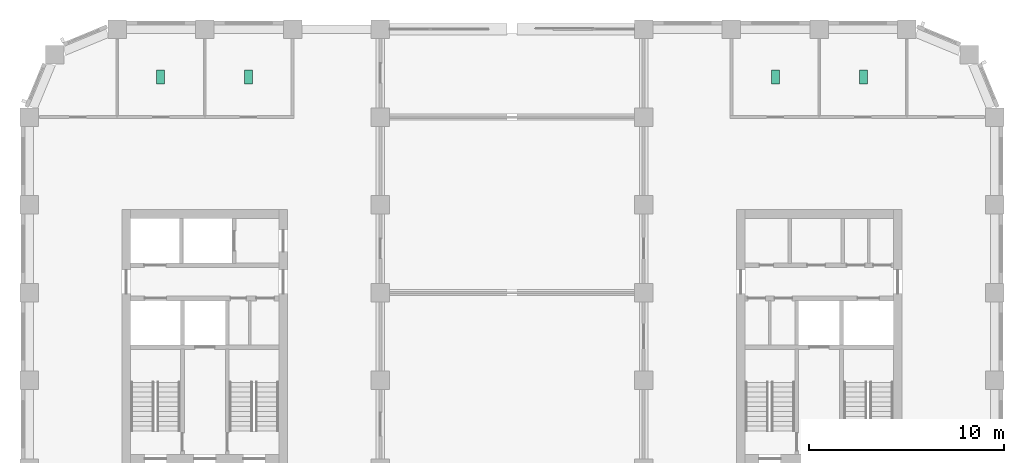
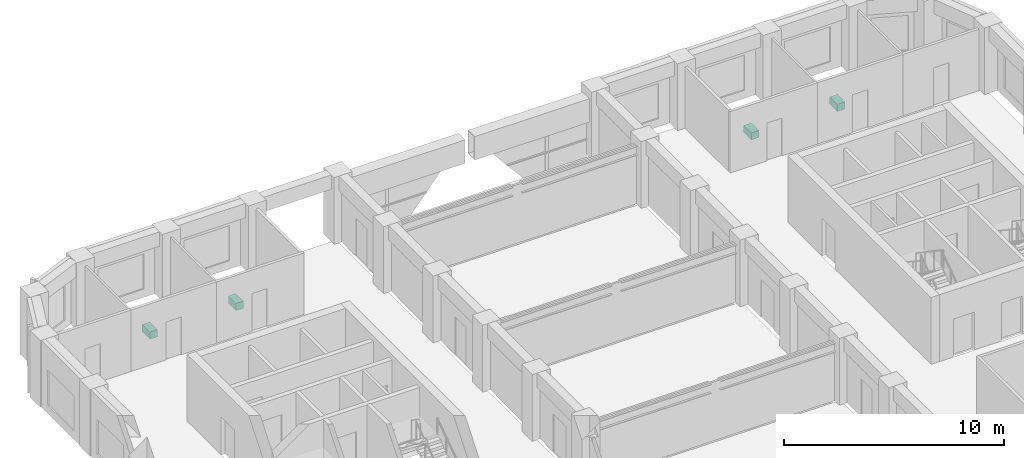
# One storey, part 14 of 14: 4 sanitary terminals.
"""IFC4 building model written with IfcOpenShell, lengths in metres."""

from ifc_helpers import new_model, si_unit, direction, frame, origin, origin_2d, place, context, subcontext, project, spatial, rectangle, extrude, material, type_object, element, save


model = new_model("IFC4")

# Units and contexts
model_context = context("Model", 3, precision=1e-05, world=origin(), true_north=direction((0.0, 1.0)))
body_context = subcontext(model_context, "Body", "Model", "MODEL_VIEW")
ifc_project = project(units=[si_unit("LENGTHUNIT", "METRE"), si_unit("AREAUNIT", "SQUARE_METRE"), si_unit("VOLUMEUNIT", "CUBIC_METRE"), si_unit("PLANEANGLEUNIT", "RADIAN"), si_unit("MASSUNIT", "GRAM", prefix="KILO")], contexts=[model_context])

# Site, building, storey
site_placement = place(None, origin())
site = spatial("IfcSite", under=ifc_project, at=site_placement, CompositionType="ELEMENT")
building_placement = place(site_placement, origin())
building = spatial("IfcBuilding", under=site, at=building_placement, Name="Girih Gate Residences", CompositionType="ELEMENT")
storey_placement = place(building_placement, frame((0.0, 0.0, 172.60009765625)))
storey = spatial("IfcBuildingStorey", under=building, at=storey_placement, Name="L47", CompositionType="ELEMENT", Elevation=172.60009765625)

# Sanitary terminals
ifc_material = material(Name="Vitreous china")
sanitary_terminal_type = type_object("IfcSanitaryTerminalType", Name="WC pan", PredefinedType="TOILETPAN", material=ifc_material)
for number, where, z_axis, x_axis, name in (
    (1, (42.77490234375, 47.050048828125, 0.0), (0.0, 0.0, 1.0), (1.0, 0.0, 0.0), "WC pan L47"),
    (2, (38.262939453125, 47.050048828125, 0.0), (0.0, 0.0, 1.0), (1.0, 0.0, 0.0), "WC pan L47"),
    (3, (6.72509765625, 47.050048828125, 0.0), (0.0, 0.0, 1.0), (1.0, 0.0, 0.0), "WC pan L47"),
    (4, (11.238037109375, 47.050048828125, 0.0), (0.0, 0.0, 1.0), (1.0, 0.0, 0.0), "WC pan L47"),
):
    element("IfcSanitaryTerminal", number, at=place(storey_placement, frame(where, z_axis=z_axis, x_axis=x_axis)), inside=storey, type_object=sanitary_terminal_type, Name=name, PredefinedType="TOILETPAN", context=body_context, shape_type="SweptSolid", body=[
        extrude(rectangle(XDim=0.39990234375, YDim=0.699951171875, at=origin_2d()), origin(), (0.0, 0.0, 1.0), 0.39990234375),
    ])

save(model, "model.ifc")
